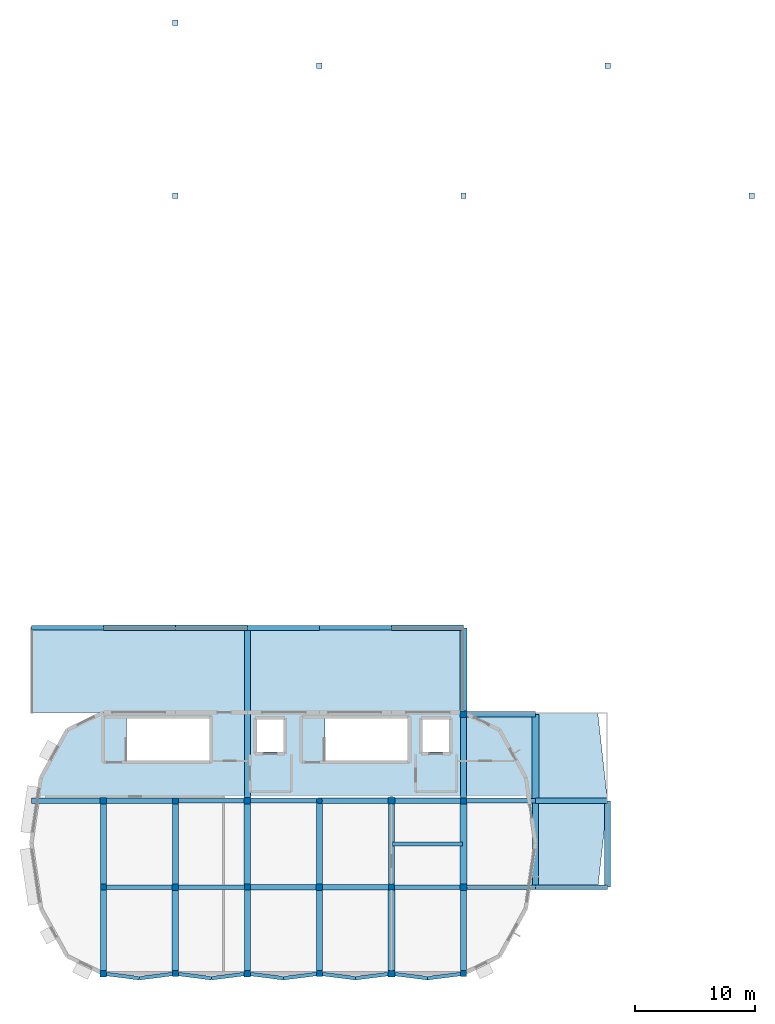
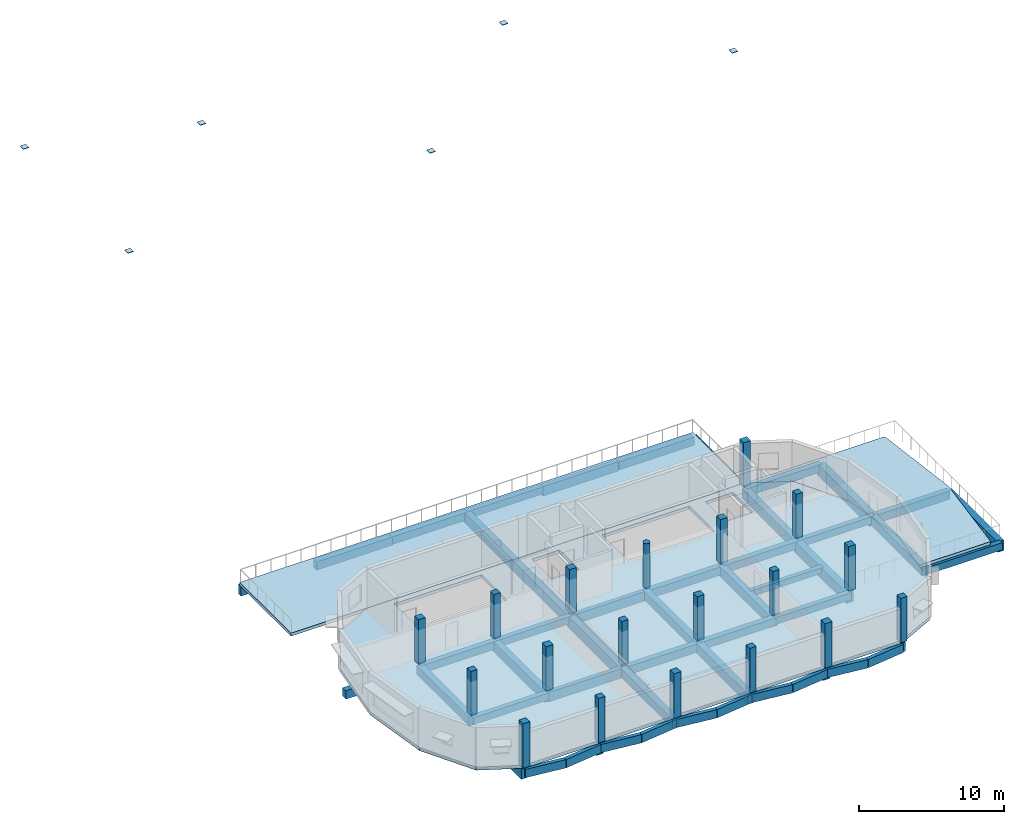
# One storey, part 1 of 4: 51 beams, 19 columns, 6 plates, 3 slabs.
"""IFC4 building model written with IfcOpenShell, lengths in metres."""

from ifc_helpers import new_model, si_unit, direction, frame, origin, origin_2d, place, context, subcontext, project, spatial, polyline, rectangle, circle, outline, extrude, material, layer, layer_set, material_profile, profile_set, type_object, element, save


model = new_model("IFC4")

# Units and contexts
model_context = context("Model", 3, precision=1e-05, world=origin(), true_north=direction((0.0, 1.0)))
body_context = subcontext(model_context, "Body", "Model", "MODEL_VIEW")
ifc_project = project(units=[si_unit("LENGTHUNIT", "METRE"), si_unit("AREAUNIT", "SQUARE_METRE"), si_unit("VOLUMEUNIT", "CUBIC_METRE"), si_unit("PLANEANGLEUNIT", "RADIAN"), si_unit("MASSUNIT", "GRAM", prefix="KILO")], contexts=[model_context])

# Site, building, storey
site_placement = place(None, origin())
site = spatial("IfcSite", under=ifc_project, at=site_placement, CompositionType="ELEMENT")
building_placement = place(site_placement, origin())
building = spatial("IfcBuilding", under=site, at=building_placement, Name="Dunvalen Ferry Terminal", CompositionType="ELEMENT")
storey_placement = place(building_placement, frame((0.0, 0.0, 17.320068359375)))
storey = spatial("IfcBuildingStorey", under=building, at=storey_placement, Name="L04", CompositionType="ELEMENT", Elevation=17.320068359375)

# Columns
ifc_material_1 = material(Name="Concrete C35/45", Category="concrete")
ifc_material_profile_1 = material_profile(ifc_material_1, circle(Radius=0.25, at=origin_2d()), Name="Concrete C35/45")
ifc_profile_set_1 = profile_set([ifc_material_profile_1], Name="Concrete C35/45")
column_type_1 = type_object("IfcColumnType", Name="STR-COL-D500", PredefinedType="COLUMN", material=ifc_profile_set_1)
column_placement = place(storey_placement, frame((42.0, 14.39990234375, 0.0), z_axis=(0.0, 0.0, 1.0), x_axis=(1.0, 0.0, 0.0)))
element("IfcColumn", 1, at=column_placement, inside=storey, type_object=column_type_1, Name="L04 Maritime Wing Column 035", PredefinedType="COLUMN", context=body_context, shape_type="SweptSolid", body=[
    extrude(circle(Radius=0.25, at=origin_2d()), origin(), (0.0, 0.0, 1.0), 3.739990234375),
])
ifc_material_profile_2 = material_profile(ifc_material_1, rectangle(XDim=0.5, YDim=0.5, at=origin_2d()), Name="Concrete C35/45")
ifc_profile_set_2 = profile_set([ifc_material_profile_2], Name="Concrete C35/45")
column_type_2 = type_object("IfcColumnType", Name="STR-COL-RC500", PredefinedType="COLUMN", material=ifc_profile_set_2)
for number, where, z_axis, x_axis, name in (
    (2, (24.0, 7.199951171875, 0.0), (0.0, 0.0, 1.0), (1.0, 0.0, 0.0), "L04 Maritime Wing Column 019"),
    (3, (30.0, 0.0, 0.0), (0.0, 0.0, 1.0), (1.0, 0.0, 0.0), "L04 Maritime Wing Column 023"),
    (4, (30.0, 14.39990234375, 0.0), (0.0, 0.0, 1.0), (1.0, 0.0, 0.0), "L04 Maritime Wing Column 025"),
    (5, (36.0, 7.199951171875, 0.0), (0.0, 0.0, 1.0), (1.0, 0.0, 0.0), "L04 Maritime Wing Column 029"),
    (6, (42.0, 0.0, 0.0), (0.0, 0.0, 1.0), (1.0, 0.0, 0.0), "L04 Maritime Wing Column 033"),
    (7, (48.0, 7.199951171875, 0.0), (0.0, 0.0, 1.0), (1.0, 0.0, 0.0), "L04 Maritime Wing Column 039"),
    (8, (54.0, 0.0, 0.0), (0.0, 0.0, 1.0), (1.0, 0.0, 0.0), "L04 Maritime Wing Column 043"),
    (9, (54.0, 14.39990234375, 0.0), (0.0, 0.0, 1.0), (1.0, 0.0, 0.0), "L04 Maritime Wing Column 045"),
):
    element("IfcColumn", number, at=place(storey_placement, frame(where, z_axis=z_axis, x_axis=x_axis)), inside=storey, type_object=column_type_2, Name=name, PredefinedType="COLUMN", context=body_context, shape_type="SweptSolid", body=[
        extrude(rectangle(XDim=0.5, YDim=0.5, at=origin_2d()), origin(), (0.0, 0.0, 1.0), 3.739990234375),
    ])
ifc_material_profile_3 = material_profile(ifc_material_1, rectangle(XDim=0.550048828125, YDim=0.550048828125, at=origin_2d()), Name="Concrete C35/45")
ifc_profile_set_3 = profile_set([ifc_material_profile_3], Name="Concrete C35/45")
column_type_3 = type_object("IfcColumnType", Name="STR-COL-RC550", PredefinedType="COLUMN", material=ifc_profile_set_3)
for number, where, z_axis, x_axis, name in (
    (10, (24.0, 0.0, 0.0), (0.0, 0.0, 1.0), (1.0, 0.0, 0.0), "L04 Maritime Wing Column 018"),
    (11, (24.0, 14.39990234375, 0.0), (0.0, 0.0, 1.0), (1.0, 0.0, 0.0), "L04 Maritime Wing Column 020"),
    (12, (30.0, 7.199951171875, 0.0), (0.0, 0.0, 1.0), (1.0, 0.0, 0.0), "L04 Maritime Wing Column 024"),
    (13, (36.0, 0.0, 0.0), (0.0, 0.0, 1.0), (1.0, 0.0, 0.0), "L04 Maritime Wing Column 028"),
    (14, (36.0, 14.39990234375, 0.0), (0.0, 0.0, 1.0), (1.0, 0.0, 0.0), "L04 Maritime Wing Column 030"),
    (15, (42.0, 7.199951171875, 0.0), (0.0, 0.0, 1.0), (1.0, 0.0, 0.0), "L04 Maritime Wing Column 034"),
    (16, (48.0, 0.0, 0.0), (0.0, 0.0, 1.0), (1.0, 0.0, 0.0), "L04 Maritime Wing Column 038"),
    (17, (48.0, 14.39990234375, 0.0), (0.0, 0.0, 1.0), (1.0, 0.0, 0.0), "L04 Maritime Wing Column 040"),
    (18, (54.0, 7.199951171875, 0.0), (0.0, 0.0, 1.0), (1.0, 0.0, 0.0), "L04 Maritime Wing Column 044"),
    (19, (54.0, 21.60009765625, 0.0), (0.0, 0.0, 1.0), (1.0, 0.0, 0.0), "L04 Maritime Wing Column 046"),
):
    element("IfcColumn", number, at=place(storey_placement, frame(where, z_axis=z_axis, x_axis=x_axis)), inside=storey, type_object=column_type_3, Name=name, PredefinedType="COLUMN", context=body_context, shape_type="SweptSolid", body=[
        extrude(rectangle(XDim=0.550048828125, YDim=0.550048828125, at=origin_2d()), origin(), (0.0, 0.0, 1.0), 3.739990234375),
    ])

# Beams
ifc_material_profile_4 = material_profile(ifc_material_1, rectangle(XDim=0.35009765625, YDim=0.5, at=origin_2d()), Name="Concrete C35/45")
ifc_profile_set_4 = profile_set([ifc_material_profile_4], Name="Concrete C35/45")
beam_type_1 = type_object("IfcBeamType", Name="STR-BM-RCB500W", PredefinedType="JOIST", material=ifc_profile_set_4)
beam_1_placement = place(storey_placement, frame((48.10009765625, 10.800048828125, -0.510009765625), z_axis=(1.0, 0.0, 0.0), x_axis=(0.0, 1.0, 0.0)))
element("IfcBeam", 20, at=beam_1_placement, inside=storey, type_object=beam_type_1, Name="L04 V5P0 Secondary Joist 001", PredefinedType="JOIST", context=body_context, shape_type="SweptSolid", body=[
    extrude(rectangle(XDim=0.35009765625, YDim=0.5, at=origin_2d()), origin(), (0.0, 0.0, 1.0), 5.7998046875),
])
ifc_material_profile_5 = material_profile(ifc_material_1, rectangle(XDim=0.39990234375, YDim=0.60009765625, at=origin_2d()), Name="Concrete C35/45")
ifc_profile_set_5 = profile_set([ifc_material_profile_5], Name="Concrete C35/45")
beam_type_2 = type_object("IfcBeamType", Name="STR-BM-RCB600", PredefinedType="BEAM", material=ifc_profile_set_5)
for number, where, z_axis, x_axis, name in (
    (21, (24.0, 7.199951171875, -0.56005859375), (1.0, 0.0, 0.0), (0.0, 1.0, 0.0), "L04 V5P0 Primary Beam X-006"),
    (22, (48.0, 7.199951171875, -0.56005859375), (1.0, 0.0, 0.0), (0.0, 1.0, 0.0), "L04 V5P0 Primary Beam X-010"),
    (23, (30.0, 14.39990234375, -0.56005859375), (1.0, 0.0, 0.0), (0.0, 1.0, 0.0), "L04 V5P0 Primary Beam X-014"),
    (24, (54.0, 14.39990234375, -0.56005859375), (1.0, 0.0, 0.0), (0.0, 1.0, 0.0), "L04 V5P0 Primary Beam X-018"),
    (25, (60.0, 7.199951171875, -0.56005859375), (1.0, 0.0, 0.0), (0.0, 1.0, 0.0), "L04 V5P1 Primary Beam X-002"),
    (26, (36.0, 28.800048828125, -0.56005859375), (1.0, 0.0, 0.0), (0.0, 1.0, 0.0), "L04 V5P2 Primary Beam X-010"),
):
    element("IfcBeam", number, at=place(storey_placement, frame(where, z_axis=z_axis, x_axis=x_axis)), inside=storey, type_object=beam_type_2, Name=name, PredefinedType="BEAM", context=body_context, shape_type="SweptSolid", body=[
        extrude(rectangle(XDim=0.39990234375, YDim=0.60009765625, at=origin_2d()), origin(), (0.0, 0.0, 1.0), 6.0),
    ])
ifc_material_2 = material(Name="Concrete C40/50", Category="concrete")
ifc_material_profile_6 = material_profile(ifc_material_2, rectangle(XDim=0.449951171875, YDim=0.64990234375, at=origin_2d()), Name="Concrete C40/50")
ifc_profile_set_6 = profile_set([ifc_material_profile_6], Name="Concrete C40/50")
beam_type_3 = type_object("IfcBeamType", Name="STR-BM-RCB650W", PredefinedType="BEAM", material=ifc_profile_set_6)
for number, where, z_axis, x_axis, name in (
    (27, (42.0, 7.199951171875, -0.5849609375), (1.0, 0.0, 0.0), (0.0, 1.0, 0.0), "L04 V5P0 Primary Beam X-009"),
    (28, (24.0, 14.39990234375, -0.5849609375), (1.0, 0.0, 0.0), (0.0, 1.0, 0.0), "L04 V5P0 Primary Beam X-013"),
    (29, (48.0, 14.39990234375, -0.5849609375), (1.0, 0.0, 0.0), (0.0, 1.0, 0.0), "L04 V5P0 Primary Beam X-017"),
    (30, (54.0, 21.60009765625, -0.5849609375), (1.0, 0.0, 0.0), (0.0, 1.0, 0.0), "L04 V5P1 Primary Beam X-005"),
    (31, (30.0, 28.800048828125, -0.5849609375), (1.0, 0.0, 0.0), (0.0, 1.0, 0.0), "L04 V5P2 Primary Beam X-009"),
):
    element("IfcBeam", number, at=place(storey_placement, frame(where, z_axis=z_axis, x_axis=x_axis)), inside=storey, type_object=beam_type_3, Name=name, PredefinedType="BEAM", context=body_context, shape_type="SweptSolid", body=[
        extrude(rectangle(XDim=0.449951171875, YDim=0.64990234375, at=origin_2d()), origin(), (0.0, 0.0, 1.0), 6.0),
    ])
ifc_material_profile_7 = material_profile(ifc_material_2, rectangle(XDim=0.449951171875, YDim=0.699951171875, at=origin_2d()), Name="Concrete C40/50")
ifc_profile_set_7 = profile_set([ifc_material_profile_7], Name="Concrete C40/50")
beam_type_4 = type_object("IfcBeamType", Name="STR-BM-RCB700", PredefinedType="BEAM", material=ifc_profile_set_7)
for number, where, z_axis, x_axis, name in (
    (32, (36.0, 7.199951171875, -0.610107421875), (1.0, 0.0, 0.0), (0.0, 1.0, 0.0), "L04 V5P0 Primary Beam X-008"),
    (33, (18.0, 14.39990234375, -0.610107421875), (1.0, 0.0, 0.0), (0.0, 1.0, 0.0), "L04 V5P0 Primary Beam X-012"),
    (34, (42.0, 14.39990234375, -0.610107421875), (1.0, 0.0, 0.0), (0.0, 1.0, 0.0), "L04 V5P0 Primary Beam X-016"),
    (35, (60.0, 14.39990234375, -0.610107421875), (1.0, 0.0, 0.0), (0.0, 1.0, 0.0), "L04 V5P1 Primary Beam X-004"),
    (36, (24.0, 28.800048828125, -0.610107421875), (1.0, 0.0, 0.0), (0.0, 1.0, 0.0), "L04 V5P2 Primary Beam X-008"),
    (37, (48.0, 28.800048828125, -0.610107421875), (1.0, 0.0, 0.0), (0.0, 1.0, 0.0), "L04 V5P2 Primary Beam X-012"),
):
    element("IfcBeam", number, at=place(storey_placement, frame(where, z_axis=z_axis, x_axis=x_axis)), inside=storey, type_object=beam_type_4, Name=name, PredefinedType="BEAM", context=body_context, shape_type="SweptSolid", body=[
        extrude(rectangle(XDim=0.449951171875, YDim=0.699951171875, at=origin_2d()), origin(), (0.0, 0.0, 1.0), 6.0),
    ])
ifc_material_profile_8 = material_profile(ifc_material_2, rectangle(XDim=0.5, YDim=0.75, at=origin_2d()), Name="Concrete C40/50")
ifc_profile_set_8 = profile_set([ifc_material_profile_8], Name="Concrete C40/50")
beam_type_5 = type_object("IfcBeamType", Name="STR-BM-RCB750", PredefinedType="BEAM", material=ifc_profile_set_8)
for number, where, z_axis, x_axis, name in (
    (38, (24.0, 7.199951171875, -0.635009765625), (0.0, 1.0, 0.0), (-1.0, 0.0, 0.0), "L04 V5P0 Primary Girder Y-020"),
    (39, (36.0, 0.0, -0.635009765625), (0.0, 1.0, 0.0), (-1.0, 0.0, 0.0), "L04 V5P0 Primary Girder Y-023"),
    (40, (42.0, 7.199951171875, -0.635009765625), (0.0, 1.0, 0.0), (-1.0, 0.0, 0.0), "L04 V5P0 Primary Girder Y-026"),
    (41, (54.0, 0.0, -0.635009765625), (0.0, 1.0, 0.0), (-1.0, 0.0, 0.0), "L04 V5P0 Primary Girder Y-029"),
    (42, (60.0, 7.199951171875, -0.635009765625), (0.0, 1.0, 0.0), (-1.0, 0.0, 0.0), "L04 V5P1 Primary Girder Y-008"),
):
    element("IfcBeam", number, at=place(storey_placement, frame(where, z_axis=z_axis, x_axis=x_axis)), inside=storey, type_object=beam_type_5, Name=name, PredefinedType="BEAM", context=body_context, shape_type="SweptSolid", body=[
        extrude(rectangle(XDim=0.5, YDim=0.75, at=origin_2d()), origin(), (0.0, 0.0, 1.0), 7.199951171875),
    ])
ifc_material_profile_9 = material_profile(ifc_material_2, rectangle(XDim=0.5, YDim=0.85009765625, at=origin_2d()), Name="Concrete C40/50")
ifc_profile_set_9 = profile_set([ifc_material_profile_9], Name="Concrete C40/50")
beam_type_6 = type_object("IfcBeamType", Name="STR-BM-RCG850", PredefinedType="BEAM", material=ifc_profile_set_9)
for number, where, z_axis, x_axis, name in (
    (43, (24.0, 0.0, -0.68505859375), (0.0, 1.0, 0.0), (-1.0, 0.0, 0.0), "L04 V5P0 Primary Girder Y-019"),
    (44, (30.0, 7.199951171875, -0.68505859375), (0.0, 1.0, 0.0), (-1.0, 0.0, 0.0), "L04 V5P0 Primary Girder Y-022"),
    (45, (42.0, 0.0, -0.68505859375), (0.0, 1.0, 0.0), (-1.0, 0.0, 0.0), "L04 V5P0 Primary Girder Y-025"),
    (46, (48.0, 7.199951171875, -0.68505859375), (0.0, 1.0, 0.0), (-1.0, 0.0, 0.0), "L04 V5P0 Primary Girder Y-028"),
):
    element("IfcBeam", number, at=place(storey_placement, frame(where, z_axis=z_axis, x_axis=x_axis)), inside=storey, type_object=beam_type_6, Name=name, PredefinedType="BEAM", context=body_context, shape_type="SweptSolid", body=[
        extrude(rectangle(XDim=0.5, YDim=0.85009765625, at=origin_2d()), origin(), (0.0, 0.0, 1.0), 7.199951171875),
    ])
beam_2_placement = place(storey_placement, frame((54.0, 14.39990234375, -0.68505859375), z_axis=(0.0, 1.0, 0.0), x_axis=(-1.0, 0.0, 0.0)))
element("IfcBeam", 47, at=beam_2_placement, inside=storey, type_object=beam_type_6, Name="L04 V5P0 Primary Girder Y-031", PredefinedType="BEAM", context=body_context, shape_type="SweptSolid", body=[
    extrude(rectangle(XDim=0.5, YDim=0.85009765625, at=origin_2d()), origin(), (0.0, 0.0, 1.0), 7.2001953125),
])
beam_3_placement = place(storey_placement, frame((66.0, 7.199951171875, -0.68505859375), z_axis=(0.0, 1.0, 0.0), x_axis=(-1.0, 0.0, 0.0)))
element("IfcBeam", 48, at=beam_3_placement, inside=storey, type_object=beam_type_6, Name="L04 V5P1 Primary Girder Y-010", PredefinedType="BEAM", context=body_context, shape_type="SweptSolid", body=[
    extrude(rectangle(XDim=0.5, YDim=0.85009765625, at=origin_2d()), origin(), (0.0, 0.0, 1.0), 7.199951171875),
])
beam_4_placement = place(storey_placement, frame((36.0, 14.39990234375, -0.68505859375), z_axis=(0.0, 1.0, 0.0), x_axis=(-1.0, 0.0, 0.0)))
element("IfcBeam", 49, at=beam_4_placement, inside=storey, type_object=beam_type_6, Name="L04 V5P2 Primary Girder Y-013", PredefinedType="BEAM", context=body_context, shape_type="SweptSolid", body=[
    extrude(rectangle(XDim=0.5, YDim=0.85009765625, at=origin_2d()), origin(), (0.0, 0.0, 1.0), 14.400146484375),
])
ifc_material_profile_10 = material_profile(ifc_material_2, rectangle(XDim=0.550048828125, YDim=0.949951171875, at=origin_2d()), Name="Concrete C40/50")
ifc_profile_set_10 = profile_set([ifc_material_profile_10], Name="Concrete C40/50")
beam_type_7 = type_object("IfcBeamType", Name="STR-BM-RCG950", PredefinedType="BEAM", material=ifc_profile_set_10)
for number, where, z_axis, x_axis, name in (
    (50, (30.0, 0.0, -0.735107421875), (0.0, 1.0, 0.0), (-1.0, 0.0, 0.0), "L04 V5P0 Primary Girder Y-021"),
    (51, (36.0, 7.199951171875, -0.735107421875), (0.0, 1.0, 0.0), (-1.0, 0.0, 0.0), "L04 V5P0 Primary Girder Y-024"),
    (52, (48.0, 0.0, -0.735107421875), (0.0, 1.0, 0.0), (-1.0, 0.0, 0.0), "L04 V5P0 Primary Girder Y-027"),
    (53, (54.0, 7.199951171875, -0.735107421875), (0.0, 1.0, 0.0), (-1.0, 0.0, 0.0), "L04 V5P0 Primary Girder Y-030"),
):
    element("IfcBeam", number, at=place(storey_placement, frame(where, z_axis=z_axis, x_axis=x_axis)), inside=storey, type_object=beam_type_7, Name=name, PredefinedType="BEAM", context=body_context, shape_type="SweptSolid", body=[
        extrude(rectangle(XDim=0.550048828125, YDim=0.949951171875, at=origin_2d()), origin(), (0.0, 0.0, 1.0), 7.199951171875),
    ])
beam_5_placement = place(storey_placement, frame((60.0, 14.39990234375, -0.735107421875), z_axis=(0.0, 1.0, 0.0), x_axis=(-1.0, 0.0, 0.0)))
element("IfcBeam", 54, at=beam_5_placement, inside=storey, type_object=beam_type_7, Name="L04 V5P1 Primary Girder Y-009", PredefinedType="BEAM", context=body_context, shape_type="SweptSolid", body=[
    extrude(rectangle(XDim=0.550048828125, YDim=0.949951171875, at=origin_2d()), origin(), (0.0, 0.0, 1.0), 7.2001953125),
])
beam_6_placement = place(storey_placement, frame((54.0, 21.60009765625, -0.735107421875), z_axis=(0.0, 1.0, 0.0), x_axis=(-1.0, 0.0, 0.0)))
element("IfcBeam", 55, at=beam_6_placement, inside=storey, type_object=beam_type_7, Name="L04 V5P2 Primary Girder Y-015", PredefinedType="BEAM", context=body_context, shape_type="SweptSolid", body=[
    extrude(rectangle(XDim=0.550048828125, YDim=0.949951171875, at=origin_2d()), origin(), (0.0, 0.0, 1.0), 7.199951171875),
])
ifc_material_profile_11 = material_profile(ifc_material_2, rectangle(XDim=0.300048828125, YDim=0.699951171875, at=origin_2d()), Name="Concrete C40/50")
ifc_profile_set_11 = profile_set([ifc_material_profile_11], Name="Concrete C40/50")
beam_type_8 = type_object("IfcBeamType", Name="STR-BM-RCSP700", PredefinedType="SPANDREL", material=ifc_profile_set_11)
for number, where, z_axis, x_axis, name in (
    (56, (24.0, 0.0, -0.610107421875), (0.992077869489, -0.12562444376, 0.0), (0.12562444376, 0.992077869489, 0.0), "L04 Forecourt Pilaster Spandrel Tie 01.1"),
    (57, (27.0, -0.3798828125, -0.610107421875), (0.992077869489, 0.12562444376, 0.0), (-0.12562444376, 0.992077869489, 0.0), "L04 Forecourt Pilaster Spandrel Tie 01.2"),
    (58, (30.0, 0.0, -0.610107421875), (0.992077869489, -0.12562444376, 0.0), (0.12562444376, 0.992077869489, 0.0), "L04 Forecourt Pilaster Spandrel Tie 02.1"),
    (59, (33.0, -0.3798828125, -0.610107421875), (0.992077869489, 0.12562444376, 0.0), (-0.12562444376, 0.992077869489, 0.0), "L04 Forecourt Pilaster Spandrel Tie 02.2"),
    (60, (36.0, 0.0, -0.610107421875), (0.992077869489, -0.12562444376, 0.0), (0.12562444376, 0.992077869489, 0.0), "L04 Forecourt Pilaster Spandrel Tie 03.1"),
    (61, (39.0, -0.3798828125, -0.610107421875), (0.992077869489, 0.12562444376, 0.0), (-0.12562444376, 0.992077869489, 0.0), "L04 Forecourt Pilaster Spandrel Tie 03.2"),
    (62, (42.0, 0.0, -0.610107421875), (0.992077869489, -0.12562444376, 0.0), (0.12562444376, 0.992077869489, 0.0), "L04 Forecourt Pilaster Spandrel Tie 04.1"),
    (63, (45.0, -0.3798828125, -0.610107421875), (0.992077869489, 0.12562444376, 0.0), (-0.12562444376, 0.992077869489, 0.0), "L04 Forecourt Pilaster Spandrel Tie 04.2"),
    (64, (48.0, 0.0, -0.610107421875), (0.992077869489, -0.12562444376, 0.0), (0.12562444376, 0.992077869489, 0.0), "L04 Forecourt Pilaster Spandrel Tie 05.1"),
    (65, (51.0, -0.3798828125, -0.610107421875), (0.992077869489, 0.12562444376, 0.0), (-0.12562444376, 0.992077869489, 0.0), "L04 Forecourt Pilaster Spandrel Tie 05.2"),
):
    element("IfcBeam", number, at=place(storey_placement, frame(where, z_axis=z_axis, x_axis=x_axis)), inside=storey, type_object=beam_type_8, Name=name, PredefinedType="SPANDREL", context=body_context, shape_type="SweptSolid", body=[
        extrude(rectangle(XDim=0.300048828125, YDim=0.699951171875, at=origin_2d()), origin(), (0.0, 0.0, 1.0), 3.02392578125),
    ])
ifc_material_profile_12 = material_profile(ifc_material_2, rectangle(XDim=0.35009765625, YDim=0.800048828125, at=origin_2d()), Name="Concrete C40/50")
ifc_profile_set_12 = profile_set([ifc_material_profile_12], Name="Concrete C40/50")
beam_type_9 = type_object("IfcBeamType", Name="STR-BM-RCSP800", PredefinedType="SPANDREL", material=ifc_profile_set_12)
for number, where, z_axis, x_axis, name in (
    (66, (30.0, 7.199951171875, -0.66015625), (1.0, 0.0, 0.0), (0.0, 1.0, 0.0), "L04 V5P0 Primary Beam X-007"),
    (67, (54.0, 7.199951171875, -0.66015625), (1.0, 0.0, 0.0), (0.0, 1.0, 0.0), "L04 V5P0 Primary Beam X-011"),
    (68, (36.0, 14.39990234375, -0.66015625), (1.0, 0.0, 0.0), (0.0, 1.0, 0.0), "L04 V5P0 Primary Beam X-015"),
    (69, (18.0, 28.800048828125, -0.66015625), (1.0, 0.0, 0.0), (0.0, 1.0, 0.0), "L04 V5P2 Primary Beam X-007"),
    (70, (42.0, 28.800048828125, -0.66015625), (1.0, 0.0, 0.0), (0.0, 1.0, 0.0), "L04 V5P2 Primary Beam X-011"),
):
    element("IfcBeam", number, at=place(storey_placement, frame(where, z_axis=z_axis, x_axis=x_axis)), inside=storey, type_object=beam_type_9, Name=name, PredefinedType="SPANDREL", context=body_context, shape_type="SweptSolid", body=[
        extrude(rectangle(XDim=0.35009765625, YDim=0.800048828125, at=origin_2d()), origin(), (0.0, 0.0, 1.0), 6.0),
    ])

# Plates
ifc_material_3 = material(Name="Steel S355", Category="steel")
ifc_layer_1 = layer(ifc_material_3, 0.0380859375, Name="Steel S355")
ifc_layer_set_1 = layer_set([ifc_layer_1], Name="Steel S355")
plate_type = type_object("IfcPlateType", Name="STR-PL-GUSSET-04", PredefinedType="USERDEFINED", material=ifc_layer_set_1)
for number, where, z_axis, x_axis, name in (
    (71, (30.0, 64.800048828125, 1.790771484375), (0.0, 0.0, 1.0), (1.0, 0.0, 0.0), "HEX-14 Steel Apex Gusset Hub"),
    (72, (30.0, 79.199951171875, 1.790771484375), (0.0, 0.0, 1.0), (1.0, 0.0, 0.0), "HEX-16 Steel Apex Gusset Hub"),
    (73, (42.0, 75.60009765625, 1.790771484375), (0.0, 0.0, 1.0), (1.0, 0.0, 0.0), "HEX-21 Steel Apex Gusset Hub"),
    (74, (54.0, 64.800048828125, 1.790771484375), (0.0, 0.0, 1.0), (1.0, 0.0, 0.0), "HEX-25 Steel Apex Gusset Hub"),
    (75, (66.0, 75.60009765625, 1.790771484375), (0.0, 0.0, 1.0), (1.0, 0.0, 0.0), "HEX-32 Steel Apex Gusset Hub"),
    (76, (78.0, 64.800048828125, 1.790771484375), (0.0, 0.0, 1.0), (1.0, 0.0, 0.0), "HEX-36 Steel Apex Gusset Hub"),
):
    element("IfcPlate", number, at=place(storey_placement, frame(where, z_axis=z_axis, x_axis=x_axis)), inside=storey, type_object=plate_type, Name=name, ObjectType="GUSSET PLATE", PredefinedType="USERDEFINED", context=body_context, shape_type="SweptSolid", body=[
        extrude(rectangle(XDim=0.449951171875, YDim=0.449951171875, at=origin_2d()), origin(), (0.0, 0.0, 1.0), 0.0380859375),
    ])

# Slabs
ifc_layer_2 = layer(ifc_material_1, 0.260009765625, Name="Concrete C35/45")
ifc_layer_set_2 = layer_set([ifc_layer_2], Name="Concrete C35/45")
slab_type_1 = type_object("IfcSlabType", Name="STR-SLB-FLR260", PredefinedType="FLOOR", material=ifc_layer_set_2)
slab_1_placement = place(storey_placement, frame((0.0, 0.0, -0.260009765625)))
element("IfcSlab", 77, at=slab_1_placement, inside=storey, type_object=slab_type_1, Name="L04 Maritime Operations Wing Floor Slab", PredefinedType="FLOOR", context=body_context, shape_type="SweptSolid", body=[
    extrude(outline(polyline([(24.0, 0.0), (54.0, 0.0), (57.0, 1.45703125), (59.1962890625, 5.4375), (60.0, 10.875), (59.1962890625, 16.3125), (57.0, 20.29296875), (54.0, 21.75), (24.0, 21.75), (21.0, 20.29296875), (18.8037109375, 16.3125), (18.0, 10.875), (18.8037109375, 5.4375), (21.0, 1.45703125), (24.0, 0.0)]), holes=[polyline([(25.949951171875, 17.75), (32.85009765625, 17.75), (32.85009765625, 21.25), (25.949951171875, 21.25), (25.949951171875, 17.75)]), polyline([(42.449951171875, 17.75), (49.35009765625, 17.75), (49.35009765625, 21.25), (42.449951171875, 21.25), (42.449951171875, 17.75)]), polyline([(36.800048828125, 18.449951171875), (39.0, 18.449951171875), (39.0, 21.14990234375), (36.800048828125, 21.14990234375), (36.800048828125, 18.449951171875)]), polyline([(50.60009765625, 18.449951171875), (52.800048828125, 18.449951171875), (52.800048828125, 21.14990234375), (50.60009765625, 21.14990234375), (50.60009765625, 18.449951171875)])]), origin(), (0.0, 0.0, 1.0), 0.260009765625),
])
ifc_layer_3 = layer(ifc_material_2, 0.219970703125, Name="Concrete C40/50")
ifc_layer_set_3 = layer_set([ifc_layer_3], Name="Concrete C40/50")
slab_type_2 = type_object("IfcSlabType", Name="STR-SLB-TER220", PredefinedType="FLOOR", material=ifc_layer_set_3)
slab_2_placement = place(storey_placement, frame((0.0, 0.0, -0.260009765625)))
element("IfcSlab", 78, at=slab_2_placement, inside=storey, type_object=slab_type_2, Name="L04 Harbourmaster East Lookout Terrace Slab", PredefinedType="FLOOR", context=body_context, shape_type="SweptSolid", body=[
    extrude(outline(polyline([(65.1962890625, 7.199951171875), (66.0, 14.39990234375), (65.1962890625, 21.60009765625), (65.1337890625, 21.75), (54.0, 21.75), (57.0, 20.29296875), (59.1962890625, 16.3125), (60.0, 10.875), (59.456787109375, 7.199951171875), (65.1962890625, 7.199951171875)])), origin(), (0.0, 0.0, 1.0), 0.260009765625),
])
slab_3_placement = place(storey_placement, frame((0.0, 0.0, -0.260009765625)))
element("IfcSlab", 79, at=slab_3_placement, inside=storey, type_object=slab_type_2, Name="L04 VTS Bridge North Observation Terrace Slab", PredefinedType="FLOOR", context=body_context, shape_type="SweptSolid", body=[
    extrude(outline(polyline([(18.0, 21.75), (54.0, 21.75), (54.0, 28.800048828125), (18.0, 28.800048828125), (18.0, 21.75)])), origin(), (0.0, 0.0, 1.0), 0.260009765625),
])

save(model, "model.ifc")
